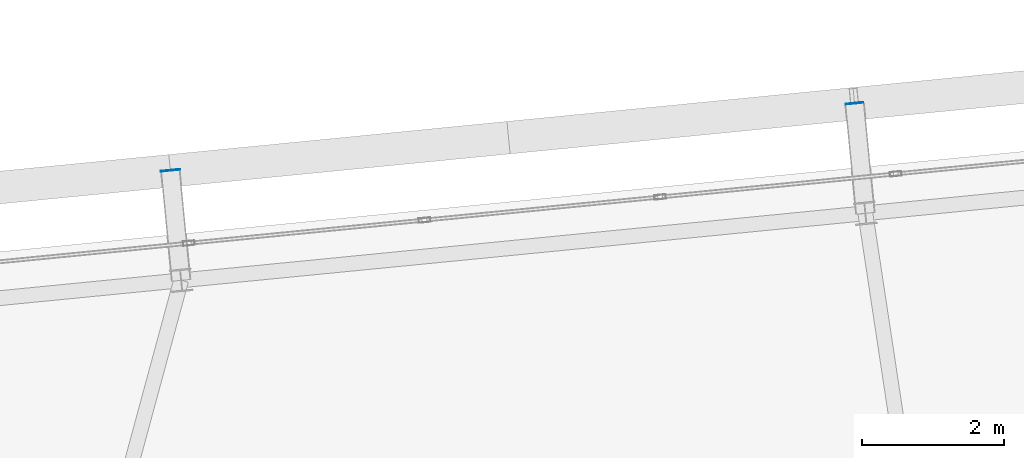
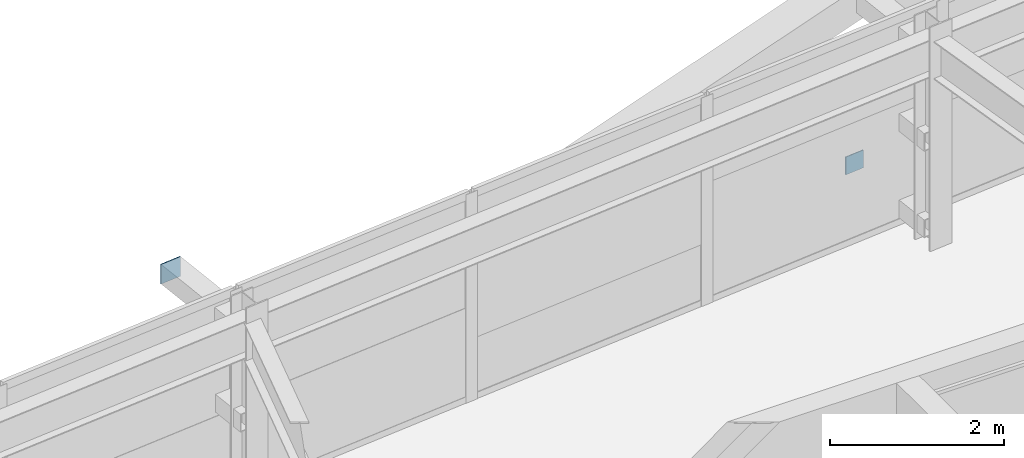
# One storey, part 44 of 52: 2 plates.
"""IFC4 building model written with IfcOpenShell, lengths in metres."""

from ifc_helpers import new_model, si_unit, direction, frame, origin, origin_2d, place, context, subcontext, project, spatial, rectangle, extrude, source, transform, mapped, material, layer, layer_set, type_object, element, save


model = new_model("IFC4")

# Units and contexts
model_context = context("Model", 3, precision=1e-05, world=origin(), true_north=direction((0.0, 1.0)))
body_context = subcontext(model_context, "Body", "Model", "MODEL_VIEW")
ifc_project = project(units=[si_unit("LENGTHUNIT", "METRE"), si_unit("AREAUNIT", "SQUARE_METRE"), si_unit("VOLUMEUNIT", "CUBIC_METRE"), si_unit("PLANEANGLEUNIT", "RADIAN"), si_unit("MASSUNIT", "GRAM", prefix="KILO")], contexts=[model_context])

# Site, building, storey
site_placement = place(None, origin())
site = spatial("IfcSite", under=ifc_project, at=site_placement, CompositionType="ELEMENT")
building_placement = place(site_placement, origin())
building = spatial("IfcBuilding", under=site, at=building_placement, Name="Taldren Reach Tower", CompositionType="ELEMENT")
storey_placement = place(building_placement, frame((0.0, 0.0, 96.60009765625)))
storey = spatial("IfcBuildingStorey", under=building, at=storey_placement, Name="L29", CompositionType="ELEMENT", Elevation=96.60009765625)

# Plates
ifc_material_1 = material(Name="Steel Gr 450 (C450L0)", Category="steel")
ifc_layer_1 = layer(ifc_material_1, 0.011962890625)
ifc_layer_set_1 = layer_set([ifc_layer_1], Name="Steel Gr 450 (C450L0)")
plate_type_1 = type_object("IfcPlateType", Name="PL-CAP-275", PredefinedType="SHEET", material=ifc_layer_set_1)
shared_shape_1 = source(origin(), body_context, "Body", "SweptSolid", [
    extrude(rectangle(XDim=0.27490234375, YDim=0.011962890625, at=origin_2d()), origin(), (0.0, 0.0, 1.0), 0.27490234375),
])
plate_1_placement = place(storey_placement, frame((40.346435546875, 38.33935546875, 2.512451171875), z_axis=(0.0, 0.0, 1.0), x_axis=(0.995227399982, 0.097582899759, 0.0)))
element("IfcPlate", 1, at=plate_1_placement, inside=storey, type_object=plate_type_1, Name="Tie strut end cap plate B2-N4 L29", PredefinedType="SHEET", context=body_context, shape_type="MappedRepresentation", body=[
    mapped(shared_shape_1, transform((0.0, 0.0, 0.0), scale=1.0)),
])
ifc_material_2 = material(Name="Steel Gr 350 (C350L0)", Category="steel")
ifc_layer_2 = layer(ifc_material_2, 0.011962890625)
ifc_layer_set_2 = layer_set([ifc_layer_2], Name="Steel Gr 350 (C350L0)")
plate_type_2 = type_object("IfcPlateType", Name="PL-CAP-250", PredefinedType="SHEET", material=ifc_layer_set_2)
shared_shape_2 = source(origin(), body_context, "Body", "SweptSolid", [
    extrude(rectangle(XDim=0.25, YDim=0.011962890625, at=origin_2d()), origin(), (0.0, 0.0, 1.0), 0.25),
])
plate_2_placement = place(storey_placement, frame((49.980224609375, 39.283935546875, 0.094970703125), z_axis=(0.0, 0.0, 1.0), x_axis=(0.995227399982, 0.097582899759, 0.0)))
element("IfcPlate", 2, at=plate_2_placement, inside=storey, type_object=plate_type_2, Name="Tie strut end cap plate B2-N5 L29", PredefinedType="SHEET", context=body_context, shape_type="MappedRepresentation", body=[
    mapped(shared_shape_2, transform((0.0, 0.0, 0.0), scale=1.0)),
])

save(model, "model.ifc")
